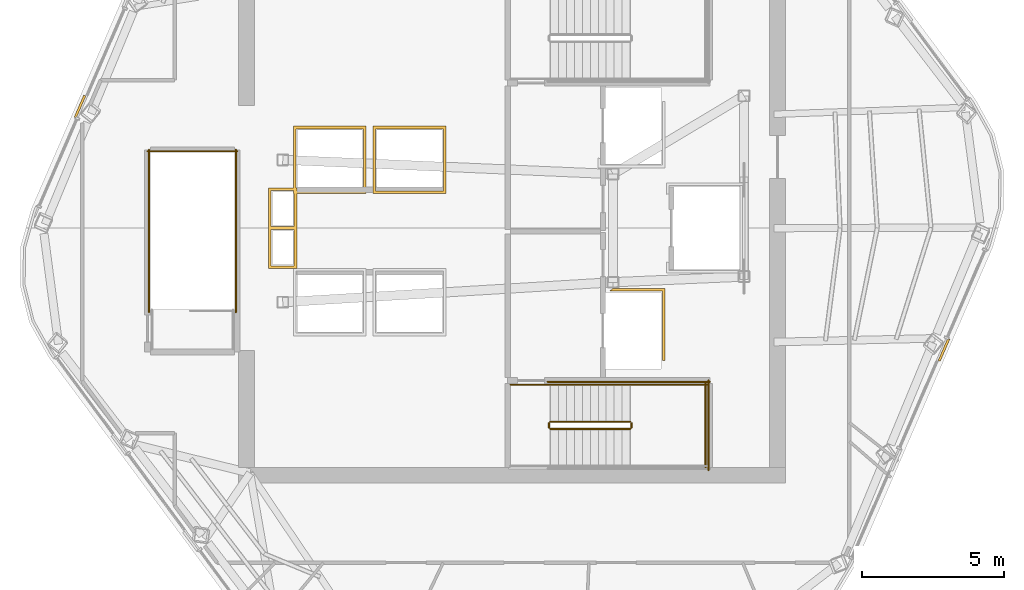
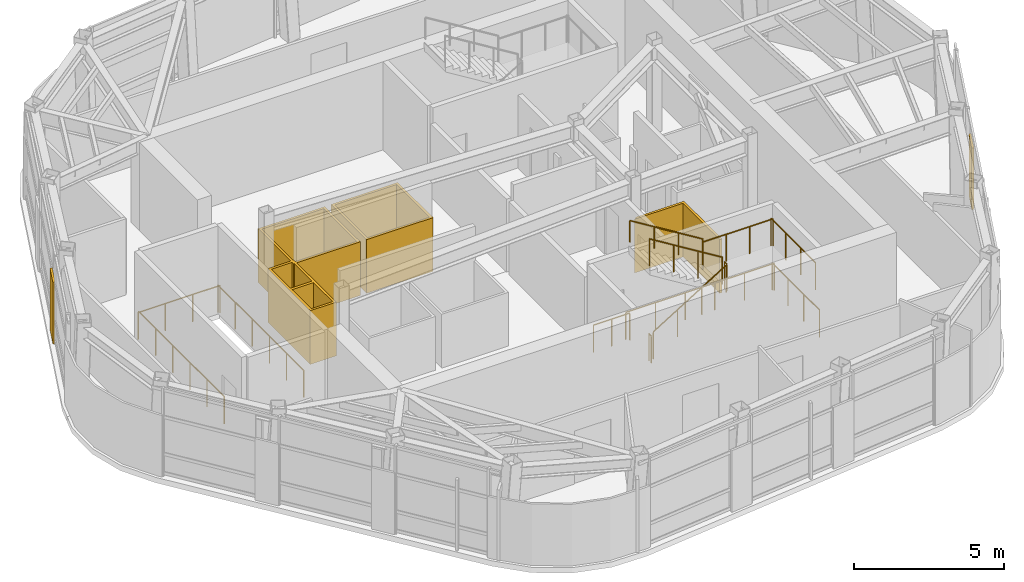
# One storey, part 9 of 11: 13 railings, 5 coverings.
"""IFC4 building model written with IfcOpenShell, lengths in metres."""

from ifc_helpers import new_model, si_unit, direction, frame, origin, origin_2d, place, context, subcontext, project, spatial, polyline, circle, outline, extrude, material, layer, layer_set, type_object, element, save


model = new_model("IFC4")

# Units and contexts
model_context = context("Model", 3, precision=1e-05, world=origin(), true_north=direction((0.0, 1.0)))
body_context = subcontext(model_context, "Body", "Model", "MODEL_VIEW")
ifc_project = project(units=[si_unit("LENGTHUNIT", "METRE"), si_unit("AREAUNIT", "SQUARE_METRE"), si_unit("VOLUMEUNIT", "CUBIC_METRE"), si_unit("PLANEANGLEUNIT", "RADIAN"), si_unit("MASSUNIT", "GRAM", prefix="KILO")], contexts=[model_context])

# Site, building, storey
site_placement = place(None, origin())
site = spatial("IfcSite", under=ifc_project, at=site_placement, CompositionType="ELEMENT")
building_placement = place(site_placement, origin())
building = spatial("IfcBuilding", under=site, at=building_placement, Name="Valkerne Bourse Tower", CompositionType="ELEMENT")
storey_placement = place(building_placement, frame((0.0, 0.0, 311.60009765625)))
storey = spatial("IfcBuildingStorey", under=building, at=storey_placement, Name="L79", CompositionType="ELEMENT", Elevation=311.60009765625)

# Coverings
ifc_material_1 = material(Name="Bronze Anodised Aluminium AA 6063-T6", Category="aluminium")
ifc_layer_1 = layer(ifc_material_1, 0.06005859375)
ifc_layer_set_1 = layer_set([ifc_layer_1], Name="Bronze Anodised Aluminium AA 6063-T6")
covering_type_1 = type_object("IfcCoveringType", Name="COV-CRN-ALUM", PredefinedType="CLADDING", material=ifc_layer_set_1)
covering_1_placement = place(storey_placement, origin())
element("IfcCovering", 1, at=covering_1_placement, inside=storey, type_object=covering_type_1, Name="L79 Wind-Shaped Corner Aluminium Cladding 02", PredefinedType="CLADDING", context=body_context, shape_type="SweptSolid", body=[
    extrude(outline(polyline([(61.843017578125, 22.327392578125), (61.769775390625, 22.35888671875), (62.103271484375, 23.1298828125), (62.1767578125, 23.09814453125), (61.843017578125, 22.327392578125)])), origin(), (0.0, 0.0, 1.0), 2.5),
])
covering_2_placement = place(storey_placement, origin())
element("IfcCovering", 2, at=covering_2_placement, inside=storey, type_object=covering_type_1, Name="L79 Wind-Shaped Corner Aluminium Cladding 11", PredefinedType="CLADDING", context=body_context, shape_type="SweptSolid", body=[
    extrude(outline(polyline([(31.7568359375, 31.672607421875), (31.830322265625, 31.64111328125), (31.49658203125, 30.8701171875), (31.42333984375, 30.90185546875), (31.7568359375, 31.672607421875)])), origin(), (0.0, 0.0, 1.0), 2.5),
])
ifc_material_2 = material(Name="Gypsum Shaftwall Liner Board", Category="gypsum")
ifc_layer_2 = layer(ifc_material_2, 0.080078125)
ifc_layer_set_2 = layer_set([ifc_layer_2], Name="Gypsum Shaftwall Liner Board")
covering_type_2 = type_object("IfcCoveringType", Name="COV-SHF-CLAD", PredefinedType="CLADDING", material=ifc_layer_set_2)
covering_3_placement = place(storey_placement, origin())
element("IfcCovering", 3, at=covering_3_placement, inside=storey, type_object=covering_type_2, Name="L79 Hoistway & Riser Shaftwall Liner 01", PredefinedType="CLADDING", context=body_context, shape_type="SweptSolid", body=[
    extrude(outline(polyline([(52.179931640625, 24.8798828125), (52.179931640625, 22.35009765625), (52.090087890625, 22.35009765625), (52.090087890625, 24.7900390625), (50.2236328125, 24.7900390625), (50.25, 24.805908203125), (50.285400390625, 24.83203125), (50.318115234375, 24.86181640625), (50.334716796875, 24.8798828125), (52.179931640625, 24.8798828125)])), origin(), (0.0, 0.0, 1.0), 2.179931640625),
])
covering_4_placement = place(storey_placement, origin())
element("IfcCovering", 4, at=covering_4_placement, inside=storey, type_object=covering_type_2, Name="L79 Hoistway & Riser Shaftwall Liner 05", PredefinedType="CLADDING", context=body_context, shape_type="SweptSolid", body=[
    extrude(outline(polyline([(38.239990234375, 28.409912109375), (39.1201171875, 28.409912109375), (39.1201171875, 30.580078125), (41.679931640625, 30.580078125), (41.679931640625, 28.219970703125), (39.239990234375, 28.219970703125), (39.239990234375, 27.0400390625), (39.239990234375, 26.9599609375), (39.239990234375, 25.590087890625), (38.239990234375, 25.590087890625), (38.239990234375, 26.9599609375), (38.239990234375, 27.0400390625), (38.239990234375, 28.409912109375)]), holes=[polyline([(38.330078125, 26.949951171875), (38.330078125, 25.679931640625), (39.14990234375, 25.679931640625), (39.14990234375, 26.949951171875), (38.330078125, 26.949951171875)]), polyline([(39.2099609375, 30.489990234375), (39.2099609375, 28.409912109375), (39.239990234375, 28.409912109375), (39.239990234375, 28.31005859375), (41.590087890625, 28.31005859375), (41.590087890625, 30.489990234375), (39.2099609375, 30.489990234375)]), polyline([(39.14990234375, 28.219970703125), (39.1201171875, 28.219970703125), (39.1201171875, 28.320068359375), (38.330078125, 28.320068359375), (38.330078125, 27.050048828125), (39.14990234375, 27.050048828125), (39.14990234375, 28.219970703125)])]), origin(), (0.0, 0.0, 1.0), 2.179931640625),
])
covering_5_placement = place(storey_placement, origin())
element("IfcCovering", 5, at=covering_5_placement, inside=storey, type_object=covering_type_2, Name="L79 Hoistway & Riser Shaftwall Liner 07", PredefinedType="CLADDING", context=body_context, shape_type="SweptSolid", body=[
    extrude(outline(polyline([(44.47998046875, 28.219970703125), (41.919921875, 28.219970703125), (41.919921875, 30.580078125), (44.47998046875, 30.580078125), (44.47998046875, 28.219970703125)]), holes=[polyline([(42.010009765625, 30.489990234375), (42.010009765625, 28.31005859375), (44.389892578125, 28.31005859375), (44.389892578125, 30.489990234375), (42.010009765625, 30.489990234375)])]), origin(), (0.0, 0.0, 1.0), 2.179931640625),
])

# Railings
ifc_material_3 = material(Name="Galvanised Painted Steel", Category="steel")
railing_type_1 = type_object("IfcRailingType", Name="RLG-ST-GUARD-1120", PredefinedType="GUARDRAIL", material=ifc_material_3)
railing_1_placement = place(storey_placement, frame((48.14990234375, 19.949951171875, 0.172607421875)))
element("IfcRailing", 6, at=railing_1_placement, inside=storey, type_object=railing_type_1, Name="L79 ST-1 stair guard 1", PredefinedType="GUARDRAIL", context=body_context, shape_type="SweptSolid", body=[
    extrude(circle(Radius=0.02392578125, at=origin_2d()), frame((0.0, 0.0, 1.09619140625), z_axis=(0.851089632645, 0.0, 0.525020415988), x_axis=(0.0, 1.0, 0.0)), (0.0, 0.0, 1.0), 3.2900390625),
    extrude(circle(Radius=0.02099609375, at=origin_2d()), origin(), (0.0, 0.0, 1.0), 1.072021484375),
    extrude(circle(Radius=0.02099609375, at=origin_2d()), frame((0.933349609375, 0.0, 0.57568359375)), (0.0, 0.0, 1.0), 1.072021484375),
    extrude(circle(Radius=0.02099609375, at=origin_2d()), frame((1.86669921875, 0.0, 1.151611328125)), (0.0, 0.0, 1.0), 1.072021484375),
    extrude(circle(Radius=0.02099609375, at=origin_2d()), frame((2.800048828125, 0.0, 1.727294921875)), (0.0, 0.0, 1.0), 1.072021484375),
])
railing_2_placement = place(storey_placement, frame((51.0, 20.0, 1.89990234375)))
element("IfcRailing", 7, at=railing_2_placement, inside=storey, type_object=railing_type_1, Name="L79 ST-1 stair guard 2", PredefinedType="GUARDRAIL", context=body_context, shape_type="SweptSolid", body=[
    extrude(circle(Radius=0.02392578125, at=origin_2d()), frame((0.0, 0.0, 1.09619140625), z_axis=(0.0, 1.0, 0.0), x_axis=(-1.0, 0.0, 0.0)), (0.0, 0.0, 1.0), 0.14990234375),
    extrude(circle(Radius=0.02099609375, at=origin_2d()), origin(), (0.0, 0.0, 1.0), 1.072021484375),
    extrude(circle(Radius=0.02099609375, at=origin_2d()), frame((0.0, 0.14990234375, 0.0)), (0.0, 0.0, 1.0), 1.072021484375),
])
railing_3_placement = place(storey_placement, frame((50.949951171875, 21.5, 1.89990234375)))
element("IfcRailing", 8, at=railing_3_placement, inside=storey, type_object=railing_type_1, Name="L79 ST-1 stair guard 4", PredefinedType="GUARDRAIL", context=body_context, shape_type="SweptSolid", body=[
    extrude(circle(Radius=0.02392578125, at=origin_2d()), frame((0.0, 0.0, 1.09619140625), z_axis=(1.0, 0.0, 0.0), x_axis=(0.0, 1.0, 0.0)), (0.0, 0.0, 1.0), 2.699951171875),
    extrude(circle(Radius=0.02099609375, at=origin_2d()), origin(), (0.0, 0.0, 1.0), 1.072021484375),
    extrude(circle(Radius=0.02099609375, at=origin_2d()), frame((0.89990234375, 0.0, 0.0)), (0.0, 0.0, 1.0), 1.072021484375),
    extrude(circle(Radius=0.02099609375, at=origin_2d()), frame((1.800048828125, 0.0, 0.0)), (0.0, 0.0, 1.0), 1.072021484375),
    extrude(circle(Radius=0.02099609375, at=origin_2d()), frame((2.699951171875, 0.0, 0.0)), (0.0, 0.0, 1.0), 1.072021484375),
])
railing_4_placement = place(storey_placement, frame((53.60009765625, 18.60009765625, 1.89990234375)))
element("IfcRailing", 9, at=railing_4_placement, inside=storey, type_object=railing_type_1, Name="L79 ST-1 stair guard 5", PredefinedType="GUARDRAIL", context=body_context, shape_type="SweptSolid", body=[
    extrude(circle(Radius=0.02392578125, at=origin_2d()), frame((0.0, 0.0, 1.09619140625), z_axis=(0.0, 1.0, 0.0), x_axis=(-1.0, 0.0, 0.0)), (0.0, 0.0, 1.0), 2.949951171875),
    extrude(circle(Radius=0.02099609375, at=origin_2d()), origin(), (0.0, 0.0, 1.0), 1.072021484375),
    extrude(circle(Radius=0.02099609375, at=origin_2d()), frame((0.0, 0.9833984375, 0.0)), (0.0, 0.0, 1.0), 1.072021484375),
    extrude(circle(Radius=0.02099609375, at=origin_2d()), frame((0.0, 1.966552734375, 0.0)), (0.0, 0.0, 1.0), 1.072021484375),
    extrude(circle(Radius=0.02099609375, at=origin_2d()), frame((0.0, 2.949951171875, 0.0)), (0.0, 0.0, 1.0), 1.072021484375),
])
railing_5_placement = place(storey_placement, frame((50.949951171875, 20.199951171875, 2.072509765625)))
element("IfcRailing", 10, at=railing_5_placement, inside=storey, type_object=railing_type_1, Name="L79 ST-1 stair guard 6", PredefinedType="GUARDRAIL", context=body_context, shape_type="SweptSolid", body=[
    extrude(circle(Radius=0.02392578125, at=origin_2d()), frame((0.0, 0.0, 1.09619140625), z_axis=(-0.851089632645, 0.0, 0.525020415988), x_axis=(0.0, -1.0, 0.0)), (0.0, 0.0, 1.0), 3.2900390625),
    extrude(circle(Radius=0.02099609375, at=origin_2d()), origin(), (0.0, 0.0, 1.0), 1.072021484375),
    extrude(circle(Radius=0.02099609375, at=origin_2d()), frame((-0.933349609375, 0.0, 0.57568359375)), (0.0, 0.0, 1.0), 1.072021484375),
    extrude(circle(Radius=0.02099609375, at=origin_2d()), frame((-1.86669921875, 0.0, 1.151611328125)), (0.0, 0.0, 1.0), 1.072021484375),
    extrude(circle(Radius=0.02099609375, at=origin_2d()), frame((-2.800048828125, 0.0, 1.727294921875)), (0.0, 0.0, 1.0), 1.072021484375),
])
railing_6_placement = place(storey_placement, frame((48.10009765625, 20.0, 0.0)))
element("IfcRailing", 11, at=railing_6_placement, inside=storey, type_object=railing_type_1, Name="L79 ST-1 stair guard 7", PredefinedType="GUARDRAIL", context=body_context, shape_type="SweptSolid", body=[
    extrude(circle(Radius=0.02392578125, at=origin_2d()), frame((0.0, 0.0, 1.09619140625), z_axis=(0.0, 1.0, 0.0), x_axis=(-1.0, 0.0, 0.0)), (0.0, 0.0, 1.0), 0.14990234375),
    extrude(circle(Radius=0.02099609375, at=origin_2d()), origin(), (0.0, 0.0, 1.0), 1.072021484375),
    extrude(circle(Radius=0.02099609375, at=origin_2d()), frame((0.0, 0.14990234375, 0.0)), (0.0, 0.0, 1.0), 1.072021484375),
])
railing_7_placement = place(storey_placement, frame((46.75, 21.5, 0.0)))
element("IfcRailing", 12, at=railing_7_placement, inside=storey, type_object=railing_type_1, Name="L79 ST-1 stair guard 9", PredefinedType="GUARDRAIL", context=body_context, shape_type="SweptSolid", body=[
    extrude(circle(Radius=0.02392578125, at=origin_2d()), frame((0.0, 0.0, 1.09619140625), z_axis=(1.0, 0.0, 0.0), x_axis=(0.0, 1.0, 0.0)), (0.0, 0.0, 1.0), 1.39990234375),
    extrude(circle(Radius=0.02099609375, at=origin_2d()), origin(), (0.0, 0.0, 1.0), 1.072021484375),
    extrude(circle(Radius=0.02099609375, at=origin_2d()), frame((0.699951171875, 0.0, 0.0)), (0.0, 0.0, 1.0), 1.072021484375),
    extrude(circle(Radius=0.02099609375, at=origin_2d()), frame((1.39990234375, 0.0, 0.0)), (0.0, 0.0, 1.0), 1.072021484375),
])
railing_8_placement = place(storey_placement, frame((48.050048828125, 21.60009765625, 0.0)))
element("IfcRailing", 13, at=railing_8_placement, inside=storey, type_object=railing_type_1, Name="L79 ST-1 stair guard 11", PredefinedType="GUARDRAIL", context=body_context, shape_type="SweptSolid", body=[
    extrude(circle(Radius=0.02392578125, at=origin_2d()), frame((0.0, 0.0, 1.09619140625), z_axis=(1.0, 0.0, 0.0), x_axis=(0.0, 1.0, 0.0)), (0.0, 0.0, 1.0), 5.699951171875),
    extrude(circle(Radius=0.02099609375, at=origin_2d()), origin(), (0.0, 0.0, 1.0), 1.072021484375),
    extrude(circle(Radius=0.02099609375, at=origin_2d()), frame((1.139892578125, 0.0, 0.0)), (0.0, 0.0, 1.0), 1.072021484375),
    extrude(circle(Radius=0.02099609375, at=origin_2d()), frame((2.280029296875, 0.0, 0.0)), (0.0, 0.0, 1.0), 1.072021484375),
    extrude(circle(Radius=0.02099609375, at=origin_2d()), frame((3.419921875, 0.0, 0.0)), (0.0, 0.0, 1.0), 1.072021484375),
    extrude(circle(Radius=0.02099609375, at=origin_2d()), frame((4.56005859375, 0.0, 0.0)), (0.0, 0.0, 1.0), 1.072021484375),
    extrude(circle(Radius=0.02099609375, at=origin_2d()), frame((5.699951171875, 0.0, 0.0)), (0.0, 0.0, 1.0), 1.072021484375),
])
railing_9_placement = place(storey_placement, frame((53.699951171875, 18.5, 0.0)))
element("IfcRailing", 14, at=railing_9_placement, inside=storey, type_object=railing_type_1, Name="L79 ST-1 stair guard 12", PredefinedType="GUARDRAIL", context=body_context, shape_type="SweptSolid", body=[
    extrude(circle(Radius=0.02392578125, at=origin_2d()), frame((0.0, 0.0, 1.09619140625), z_axis=(0.0, 1.0, 0.0), x_axis=(-1.0, 0.0, 0.0)), (0.0, 0.0, 1.0), 3.14990234375),
    extrude(circle(Radius=0.02099609375, at=origin_2d()), origin(), (0.0, 0.0, 1.0), 1.072021484375),
    extrude(circle(Radius=0.02099609375, at=origin_2d()), frame((0.0, 1.050048828125, 0.0)), (0.0, 0.0, 1.0), 1.072021484375),
    extrude(circle(Radius=0.02099609375, at=origin_2d()), frame((0.0, 2.099853515625, 0.0)), (0.0, 0.0, 1.0), 1.072021484375),
    extrude(circle(Radius=0.02099609375, at=origin_2d()), frame((0.0, 3.14990234375, 0.0)), (0.0, 0.0, 1.0), 1.072021484375),
])
for number, where, name in (
    (15, (37.10009765625, 24.050048828125, 0.0), "L79 ST-3 top well guard 2"),
    (16, (34.050048828125, 24.050048828125, 0.0), "L79 ST-3 top well guard 3"),
):
    element("IfcRailing", number, at=place(storey_placement, frame(where)), inside=storey, type_object=railing_type_1, Name=name, PredefinedType="GUARDRAIL", context=body_context, shape_type="SweptSolid", body=[
        extrude(circle(Radius=0.02392578125, at=origin_2d()), frame((0.0, 0.0, 1.09619140625), z_axis=(0.0, 1.0, 0.0), x_axis=(-1.0, 0.0, 0.0)), (0.0, 0.0, 1.0), 5.699951171875),
        extrude(circle(Radius=0.02099609375, at=origin_2d()), origin(), (0.0, 0.0, 1.0), 1.072021484375),
        extrude(circle(Radius=0.02099609375, at=origin_2d()), frame((0.0, 1.139892578125, 0.0)), (0.0, 0.0, 1.0), 1.072021484375),
        extrude(circle(Radius=0.02099609375, at=origin_2d()), frame((0.0, 2.280029296875, 0.0)), (0.0, 0.0, 1.0), 1.072021484375),
        extrude(circle(Radius=0.02099609375, at=origin_2d()), frame((0.0, 3.419921875, 0.0)), (0.0, 0.0, 1.0), 1.072021484375),
        extrude(circle(Radius=0.02099609375, at=origin_2d()), frame((0.0, 4.56005859375, 0.0)), (0.0, 0.0, 1.0), 1.072021484375),
        extrude(circle(Radius=0.02099609375, at=origin_2d()), frame((0.0, 5.699951171875, 0.0)), (0.0, 0.0, 1.0), 1.072021484375),
    ])
railing_10_placement = place(storey_placement, frame((37.14990234375, 29.699951171875, 0.0)))
element("IfcRailing", 17, at=railing_10_placement, inside=storey, type_object=railing_type_1, Name="L79 ST-3 top well guard 4", PredefinedType="GUARDRAIL", context=body_context, shape_type="SweptSolid", body=[
    extrude(circle(Radius=0.02392578125, at=origin_2d()), frame((0.0, 0.0, 1.09619140625), z_axis=(-1.0, 0.0, 0.0), x_axis=(0.0, -1.0, 0.0)), (0.0, 0.0, 1.0), 3.14990234375),
    extrude(circle(Radius=0.02099609375, at=origin_2d()), origin(), (0.0, 0.0, 1.0), 1.072021484375),
    extrude(circle(Radius=0.02099609375, at=origin_2d()), frame((-1.050048828125, 0.0, 0.0)), (0.0, 0.0, 1.0), 1.072021484375),
    extrude(circle(Radius=0.02099609375, at=origin_2d()), frame((-2.099853515625, 0.0, 0.0)), (0.0, 0.0, 1.0), 1.072021484375),
    extrude(circle(Radius=0.02099609375, at=origin_2d()), frame((-3.14990234375, 0.0, 0.0)), (0.0, 0.0, 1.0), 1.072021484375),
])
ifc_material_4 = material(Name="Stainless Steel AISI 316", Category="steel")
railing_type_2 = type_object("IfcRailingType", Name="RLG-ST-HANDRAIL-900", PredefinedType="HANDRAIL", material=ifc_material_4)
railing_11_placement = place(storey_placement, frame((50.949951171875, 21.5, 2.245361328125)))
element("IfcRailing", 18, at=railing_11_placement, inside=storey, type_object=railing_type_2, Name="L79 ST-1 stair handrail 2", PredefinedType="HANDRAIL", context=body_context, shape_type="SweptSolid", body=[
    extrude(circle(Radius=0.02392578125, at=origin_2d()), frame((0.0, 0.0, 0.8759765625), z_axis=(-0.851089632645, 0.0, 0.525020415988), x_axis=(0.0, -1.0, 0.0)), (0.0, 0.0, 1.0), 3.2900390625),
    extrude(circle(Radius=0.02099609375, at=origin_2d()), origin(), (0.0, 0.0, 1.0), 0.851806640625),
    extrude(circle(Radius=0.02099609375, at=origin_2d()), frame((-0.933349609375, 0.0, 0.57568359375)), (0.0, 0.0, 1.0), 0.851806640625),
    extrude(circle(Radius=0.02099609375, at=origin_2d()), frame((-1.86669921875, 0.0, 1.151611328125)), (0.0, 0.0, 1.0), 0.851806640625),
    extrude(circle(Radius=0.02099609375, at=origin_2d()), frame((-2.800048828125, 0.0, 1.727294921875)), (0.0, 0.0, 1.0), 0.851806640625),
])

save(model, "model.ifc")
